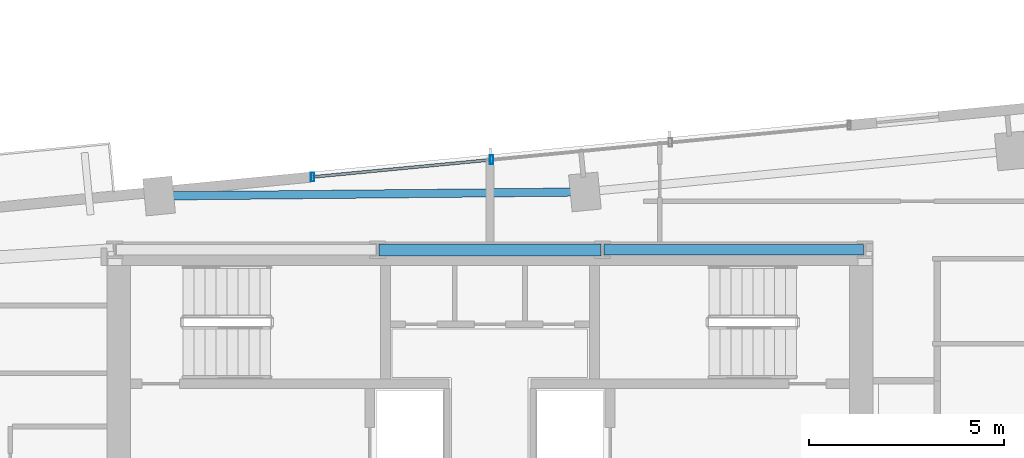
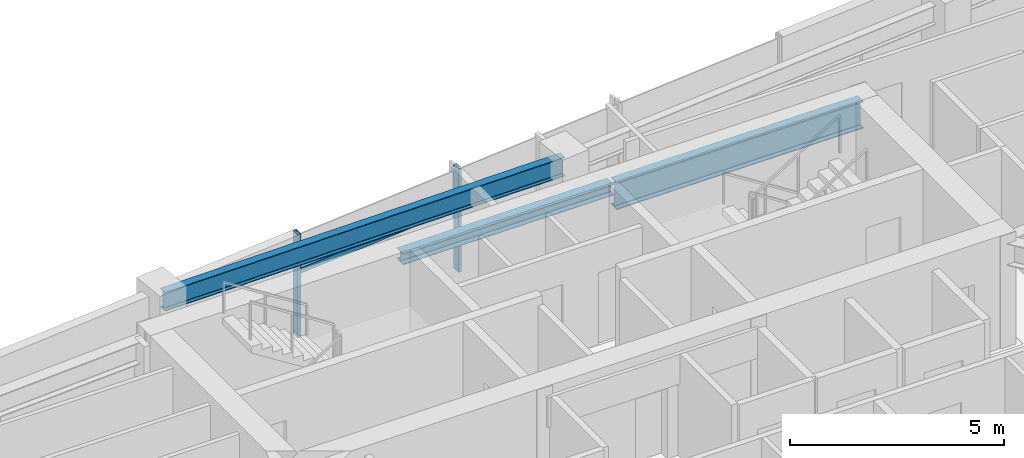
# One storey, part 6 of 18: 3 beams, 3 members, 1 element without a shape of its own.
"""IFC4 building model written with IfcOpenShell, lengths in metres."""

from ifc_helpers import new_model, si_unit, direction, frame, origin, origin_2d, place, context, subcontext, project, spatial, hollow_rectangle, i_section, extrude, source, transform, mapped, material, material_profile, profile_set, type_object, type_shapes, element, aggregate, save


model = new_model("IFC4")

# Units and contexts
model_context = context("Model", 3, precision=1e-05, world=origin(), true_north=direction((0.0, 1.0)))
body_context = subcontext(model_context, "Body", "Model", "MODEL_VIEW")
ifc_project = project(units=[si_unit("LENGTHUNIT", "METRE"), si_unit("AREAUNIT", "SQUARE_METRE"), si_unit("VOLUMEUNIT", "CUBIC_METRE"), si_unit("PLANEANGLEUNIT", "RADIAN"), si_unit("MASSUNIT", "GRAM", prefix="KILO")], contexts=[model_context])

# Site, building, storey
site_placement = place(None, origin())
site = spatial("IfcSite", under=ifc_project, at=site_placement, CompositionType="ELEMENT")
building_placement = place(site_placement, origin())
building = spatial("IfcBuilding", under=site, at=building_placement, Name="Astriad Promenade Condominiums", CompositionType="ELEMENT")
storey_placement = place(building_placement, frame((0.0, 0.0, 192.199951171875)))
storey = spatial("IfcBuildingStorey", under=building, at=storey_placement, Name="L55", CompositionType="ELEMENT", Elevation=192.199951171875)

# Beams
ifc_material_1 = material(Name="Steel ASTM A992 Grade 50", Category="steel")
ifc_material_profile_1 = material_profile(ifc_material_1, i_section(OverallWidth=0.267822265625, OverallDepth=0.76953125, WebThickness=0.015625, FlangeThickness=0.025390625, FilletRadius=0.021484375, at=origin_2d()), Name="W30X132")
ifc_profile_set_1 = profile_set([ifc_material_profile_1], Name="Steel ASTM A992 Grade 50")
beam_type_1 = type_object("IfcBeamType", Name="STEEL FLOOR GIRDER W30X132", PredefinedType="BEAM", material=ifc_profile_set_1)
shared_shape_1 = source(origin(), body_context, "Body", "SweptSolid", [
    extrude(i_section(OverallWidth=0.267822265625, OverallDepth=0.76953125, WebThickness=0.015625, FlangeThickness=0.025390625, FilletRadius=0.021484375, at=origin_2d()), origin(), (0.0, 0.0, 1.0), 6.64013671875),
])
type_shapes(beam_type_1, [shared_shape_1])
beam_1_placement = place(storey_placement, frame((38.919921875, 24.0, 2.55517578125), z_axis=(1.0, 0.0, 0.0), x_axis=(0.0, 1.0, 0.0)))
element("IfcBeam", 1, at=beam_1_placement, inside=storey, type_object=beam_type_1, Name="Core Ring Beam CG-N3-L55", PredefinedType="BEAM", context=body_context, shape_type="MappedRepresentation", body=[
    mapped(shared_shape_1, transform((0.0, 0.0, 0.0), scale=1.0)),
])
ifc_material_profile_2 = material_profile(ifc_material_1, i_section(OverallWidth=0.3046875, OverallDepth=0.307861328125, WebThickness=0.010009765625, FlangeThickness=0.015380859375, FilletRadius=0.01513671875, at=origin_2d()), Name="W12X65")
ifc_profile_set_2 = profile_set([ifc_material_profile_2], Name="Steel ASTM A992 Grade 50")
beam_type_2 = type_object("IfcBeamType", Name="STEEL OPENING LINTEL W12X65", PredefinedType="LINTEL", material=ifc_profile_set_2)
shared_shape_2 = source(origin(), body_context, "Body", "SweptSolid", [
    extrude(i_section(OverallWidth=0.3046875, OverallDepth=0.307861328125, WebThickness=0.010009765625, FlangeThickness=0.015380859375, FilletRadius=0.01513671875, at=origin_2d()), origin(), (0.0, 0.0, 1.0), 5.68017578125),
])
type_shapes(beam_type_2, [shared_shape_2])
beam_2_placement = place(storey_placement, frame((33.159912109375, 24.0, 2.7861328125), z_axis=(1.0, 0.0, 0.0), x_axis=(0.0, 1.0, 0.0)))
element("IfcBeam", 2, at=beam_2_placement, inside=storey, type_object=beam_type_2, Name="Core Ring Beam CG-N2-L55", PredefinedType="LINTEL", context=body_context, shape_type="MappedRepresentation", body=[
    mapped(shared_shape_2, transform((0.0, 0.0, 0.0), scale=1.0)),
])
ifc_material_profile_3 = material_profile(ifc_material_1, i_section(OverallWidth=0.210693359375, OverallDepth=0.53955078125, WebThickness=0.01171875, FlangeThickness=0.018798828125, FilletRadius=0.0166015625, at=origin_2d()), Name="W21X73")
ifc_profile_set_3 = profile_set([ifc_material_profile_3], Name="Steel ASTM A992 Grade 50")
beam_type_3 = type_object("IfcBeamType", Name="STEEL SPANDREL BEAM W21X73", PredefinedType="SPANDREL", material=ifc_profile_set_3)
shared_shape_3 = source(origin(), body_context, "Body", "SweptSolid", [
    extrude(i_section(OverallWidth=0.210693359375, OverallDepth=0.53955078125, WebThickness=0.01171875, FlangeThickness=0.018798828125, FilletRadius=0.0166015625, at=origin_2d()), origin(), (0.0, 0.0, 1.0), 10.820068359375),
])
type_shapes(beam_type_3, [shared_shape_3])
beam_3_placement = place(storey_placement, frame((38.391357421875, 25.482666015625, 2.670166015625), z_axis=(-0.999955308161, -0.009454188553, 0.0), x_axis=(0.009454188553, -0.999955308161, 0.0)))
element("IfcBeam", 3, at=beam_3_placement, inside=storey, type_object=beam_type_3, Name="Perimeter Spandrel Beam SP-N2-L55", PredefinedType="SPANDREL", context=body_context, shape_type="MappedRepresentation", body=[
    mapped(shared_shape_3, transform((0.0, 0.0, 0.0), scale=1.0)),
])

# Curtain wall, members
ifc_material_2 = material(Name="Anodised aluminium Black Dark Glass Unitised", Category="aluminium")
curtain_wall_type = type_object("IfcCurtainWallType", Name="CW-B34-DARK", PredefinedType="USERDEFINED", material=ifc_material_2)
curtain_wall_placement = place(storey_placement, origin())
curtain_wall = element("IfcCurtainWall", 4, at=curtain_wall_placement, inside=storey, type_object=curtain_wall_type, Name="CW-L55-N", ObjectType="UNITISED_CURTAIN_WALL", PredefinedType="USERDEFINED")
ifc_material_3 = material(Name="Anodised aluminium 6063-T6 Black", Category="aluminium")
ifc_material_profile_4 = material_profile(ifc_material_3, hollow_rectangle(XDim=0.0849609375, YDim=0.219970703125, WallThickness=0.0048828125, at=origin_2d()), Name="ALU-MUL-85X220")
ifc_profile_set_4 = profile_set([ifc_material_profile_4], Name="Anodised aluminium 6063-T6 Black")
member_type_1 = type_object("IfcMemberType", Name="MUL-ALU-MUL-85X220", PredefinedType="MULLION", material=ifc_profile_set_4)
shared_shape_4 = source(origin(), body_context, "Body", "SweptSolid", [
    extrude(hollow_rectangle(XDim=0.0849609375, YDim=0.219970703125, WallThickness=0.0048828125, at=origin_2d()), origin(), (0.0, 0.0, 1.0), 2.93994140625),
])
type_shapes(member_type_1, [shared_shape_4])
member_1_placement = place(storey_placement, frame((31.46240234375, 25.866943359375, 0.0), z_axis=(0.0, 0.0, 1.0), x_axis=(1.0, 0.0, 0.0)))
member_1 = element("IfcMember", 5, at=member_1_placement, type_object=member_type_1, Name="CW-L55-N-MUL-00", PredefinedType="MULLION", context=body_context, shape_type="MappedRepresentation", body=[
    mapped(shared_shape_4, transform((0.0, 0.0, 0.0), scale=1.0)),
])
member_2_placement = place(storey_placement, frame((36.041259765625, 26.307861328125, 0.0), z_axis=(0.0, 0.0, 1.0), x_axis=(1.0, 0.0, 0.0)))
member_2 = element("IfcMember", 6, at=member_2_placement, type_object=member_type_1, Name="CW-L55-N-MUL-01", PredefinedType="MULLION", context=body_context, shape_type="MappedRepresentation", body=[
    mapped(shared_shape_4, transform((0.0, 0.0, 0.0), scale=1.0)),
])
ifc_material_profile_5 = material_profile(ifc_material_3, hollow_rectangle(XDim=0.074951171875, YDim=0.14990234375, WallThickness=0.004150390625, at=origin_2d()), Name="ALU-TRN-75X150")
ifc_profile_set_5 = profile_set([ifc_material_profile_5], Name="Anodised aluminium 6063-T6 Black")
member_type_2 = type_object("IfcMemberType", Name="TRN-ALU-TRN-75X150", PredefinedType="USERDEFINED", material=ifc_profile_set_5)
shared_shape_5 = source(origin(), body_context, "Body", "SweptSolid", [
    extrude(hollow_rectangle(XDim=0.074951171875, YDim=0.14990234375, WallThickness=0.004150390625, at=origin_2d()), origin(), (0.0, 0.0, 1.0), 4.60009765625),
])
type_shapes(member_type_2, [shared_shape_5])
member_3_placement = place(storey_placement, frame((31.46240234375, 25.866943359375, 1.82275390625), z_axis=(0.995395697572, 0.095850953336, 0.0), x_axis=(-0.095850953336, 0.995395697572, 0.0)))
member_3 = element("IfcMember", 7, at=member_3_placement, type_object=member_type_2, Name="CW-L55-N-TRN-00-0", ObjectType="TRANSOM", PredefinedType="USERDEFINED", context=body_context, shape_type="MappedRepresentation", body=[
    mapped(shared_shape_5, transform((0.0, 0.0, 0.0), scale=1.0)),
])
aggregate(curtain_wall, [member_1, member_2, member_3])

save(model, "model.ifc")
